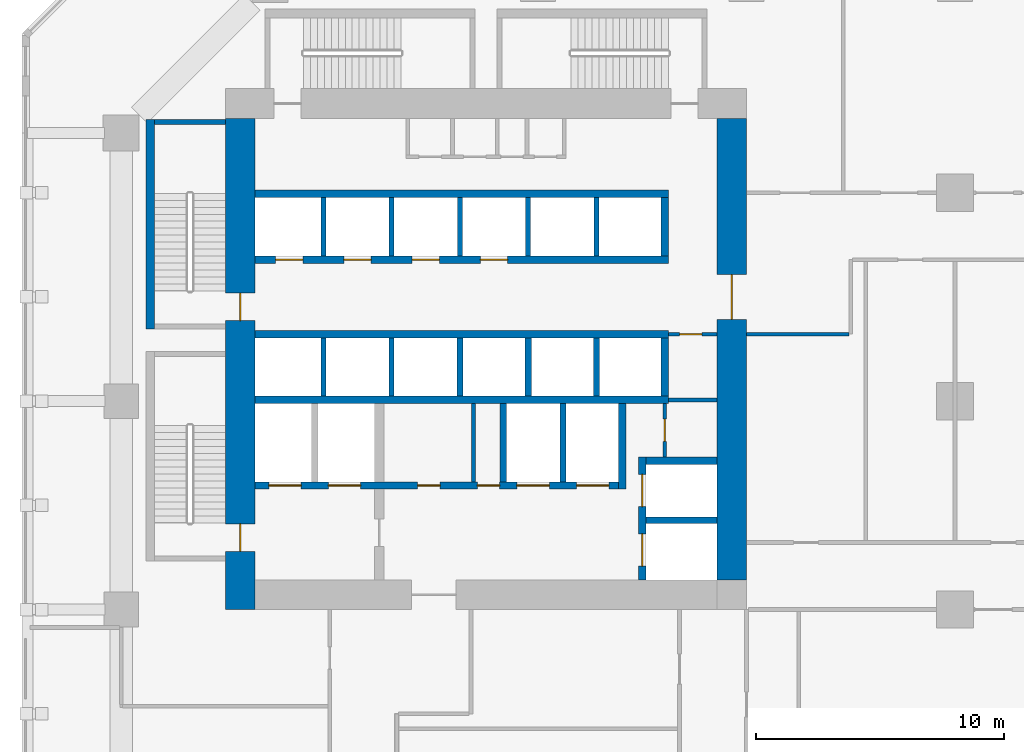
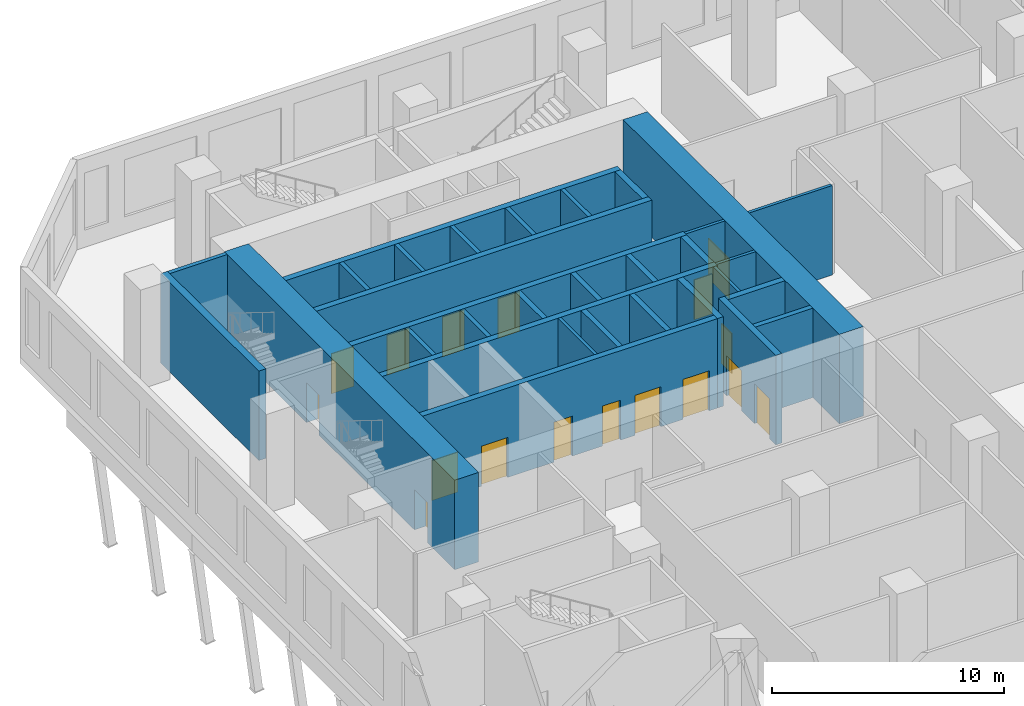
# One storey, part 11 of 25: 32 walls, 17 doors, 17 openings.
"""IFC4 building model written with IfcOpenShell, lengths in metres."""

from ifc_helpers import new_model, si_unit, direction, frame, frame_2d, origin, place, context, subcontext, project, spatial, rectangle, extrude, material, layer, layer_set, type_object, element, fill, save


model = new_model("IFC4")

# Units and contexts
model_context = context("Model", 3, precision=1e-05, world=origin(), true_north=direction((0.0, 1.0)))
body_context = subcontext(model_context, "Body", "Model", "MODEL_VIEW")
ifc_project = project(units=[si_unit("LENGTHUNIT", "METRE"), si_unit("AREAUNIT", "SQUARE_METRE"), si_unit("VOLUMEUNIT", "CUBIC_METRE"), si_unit("PLANEANGLEUNIT", "RADIAN"), si_unit("MASSUNIT", "GRAM", prefix="KILO")], contexts=[model_context])

# Site, building, storey
site_placement = place(None, origin())
site = spatial("IfcSite", under=ifc_project, at=site_placement, CompositionType="ELEMENT")
building_placement = place(site_placement, origin())
building = spatial("IfcBuilding", under=site, at=building_placement, Name="Kawkab Arch Medical Tower", CompositionType="ELEMENT")
storey_placement = place(building_placement, frame((0.0, 0.0, 29.0)))
storey = spatial("IfcBuildingStorey", under=building, at=storey_placement, Name="L06", CompositionType="ELEMENT", Elevation=29.0)

# Wall, openings, doors
ifc_material_1 = material(Name="Concrete C60/75", Category="concrete")
ifc_layer_1 = layer(ifc_material_1, 1.199951171875)
ifc_layer_set_1 = layer_set([ifc_layer_1], Name="Concrete C60/75")
wall_type_1 = type_object("IfcWallType", Name="Core ring wall 1200 C60/75", PredefinedType="SHEAR", material=ifc_layer_set_1)
wall_1_placement = place(storey_placement, frame((4.800048828125, -25.199951171875, 0.0), z_axis=(0.0, 0.0, 1.0), x_axis=(0.0, 1.0, 0.0)))
wall_1 = element("IfcWall", 1, at=wall_1_placement, inside=storey, type_object=wall_type_1, Name="L06 core wall", PredefinedType="SHEAR", context=body_context, shape_type="SweptSolid", body=[
    extrude(rectangle(XDim=19.800048828125, YDim=1.199951171875, at=frame_2d((9.89990234375, 0.0))), origin(), (0.0, 0.0, 1.0), 4.699951171875),
])
opening_1_placement = place(wall_1_placement, frame((11.64990234375, 0.0, 0.0)))
opening_1 = element("IfcOpeningElement", 2, at=opening_1_placement, cuts=wall_1, Name="Opening SD", PredefinedType="OPENING", context=body_context, shape_type="SweptSolid", body=[
    extrude(rectangle(XDim=1.10009765625, YDim=2.10009765625, at=frame_2d((0.550048828125, 1.050048828125))), frame((0.0, 0.60986328125, 0.0), z_axis=(0.0, -1.0, 0.0), x_axis=(1.0, 0.0, 0.0)), (0.0, 0.0, 1.0), 1.219970703125),
])
opening_2_placement = place(wall_1_placement, frame((2.35009765625, 0.0, 0.0)))
opening_2 = element("IfcOpeningElement", 3, at=opening_2_placement, cuts=wall_1, Name="Opening SD", PredefinedType="OPENING", context=body_context, shape_type="SweptSolid", body=[
    extrude(rectangle(XDim=1.10009765625, YDim=2.10009765625, at=frame_2d((0.550048828125, 1.050048828125))), frame((0.0, 0.60986328125, 0.0), z_axis=(0.0, -1.0, 0.0), x_axis=(1.0, 0.0, 0.0)), (0.0, 0.0, 1.0), 1.219970703125),
])
ifc_material_2 = material(Name="Hollow metal fire door leaf")
door_type_1 = type_object("IfcDoorType", Name="Exit stair door 1100", OperationType="SINGLE_SWING_LEFT", PredefinedType="DOOR", material=ifc_material_2)
door_1_placement = place(opening_1_placement, origin())
door_1 = element("IfcDoor", 4, at=door_1_placement, inside=storey, type_object=door_type_1, Name="L06 Exit stair ST1 door", OperationType="SINGLE_SWING_LEFT", OverallHeight=2.10009765625, OverallWidth=1.10009765625, PredefinedType="DOOR", context=body_context, shape_type="SweptSolid", body=[
    extrude(rectangle(XDim=1.10009765625, YDim=2.10009765625, at=frame_2d((0.550048828125, 1.050048828125))), frame((0.0, 0.02490234375, 0.0), z_axis=(0.0, -1.0, 0.0), x_axis=(1.0, 0.0, 0.0)), (0.0, 0.0, 1.0), 0.050048828125),
])
fill(opening_1, door_1)
door_2_placement = place(opening_2_placement, origin())
door_2 = element("IfcDoor", 5, at=door_2_placement, inside=storey, type_object=door_type_1, Name="L06 Exit stair ST2 door", OperationType="SINGLE_SWING_LEFT", OverallHeight=2.10009765625, OverallWidth=1.10009765625, PredefinedType="DOOR", context=body_context, shape_type="SweptSolid", body=[
    extrude(rectangle(XDim=1.10009765625, YDim=2.10009765625, at=frame_2d((0.550048828125, 1.050048828125))), frame((0.0, 0.02490234375, 0.0), z_axis=(0.0, -1.0, 0.0), x_axis=(1.0, 0.0, 0.0)), (0.0, 0.0, 1.0), 0.050048828125),
])
fill(opening_2, door_2)

# Wall, opening, door
wall_2_placement = place(storey_placement, frame((24.60009765625, -24.0, 0.0), z_axis=(0.0, 0.0, 1.0), x_axis=(0.0, 1.0, 0.0)))
wall_2 = element("IfcWall", 6, at=wall_2_placement, inside=storey, type_object=wall_type_1, Name="L06 core wall", PredefinedType="SHEAR", context=body_context, shape_type="SweptSolid", body=[
    extrude(rectangle(XDim=18.60009765625, YDim=1.199951171875, at=frame_2d((9.300048828125, 0.0))), origin(), (0.0, 0.0, 1.0), 4.699951171875),
])
opening_3_placement = place(wall_2_placement, frame((10.5, 0.0, 0.0)))
opening_3 = element("IfcOpeningElement", 7, at=opening_3_placement, cuts=wall_2, Name="Opening PD", PredefinedType="OPENING", context=body_context, shape_type="SweptSolid", body=[
    extrude(rectangle(XDim=1.800048828125, YDim=2.10009765625, at=frame_2d((0.89990234375, 1.050048828125))), frame((0.0, 0.60986328125, 0.0), z_axis=(0.0, -1.0, 0.0), x_axis=(1.0, 0.0, 0.0)), (0.0, 0.0, 1.0), 1.219970703125),
])
ifc_material_3 = material(Name="Hollow metal fire door leaf")
door_type_2 = type_object("IfcDoorType", Name="Core entrance doors 1800", OperationType="DOUBLE_DOOR_SINGLE_SWING", PredefinedType="DOOR", material=ifc_material_3)
door_3_placement = place(opening_3_placement, origin())
door_3 = element("IfcDoor", 8, at=door_3_placement, inside=storey, type_object=door_type_2, Name="L06 East entrance doors", OperationType="DOUBLE_DOOR_SINGLE_SWING", OverallHeight=2.10009765625, OverallWidth=1.800048828125, PredefinedType="DOOR", context=body_context, shape_type="SweptSolid", body=[
    extrude(rectangle(XDim=1.800048828125, YDim=2.10009765625, at=frame_2d((0.89990234375, 1.050048828125))), frame((0.0, 0.02490234375, 0.0), z_axis=(0.0, -1.0, 0.0), x_axis=(1.0, 0.0, 0.0)), (0.0, 0.0, 1.0), 0.050048828125),
])
fill(opening_3, door_3)

ifc_material_4 = material(Name="Gypsum board on steel studs", Category="steel")
ifc_layer_2 = layer(ifc_material_4, 0.14990234375)
ifc_layer_set_2 = layer_set([ifc_layer_2], Name="Gypsum board on steel studs")
wall_type_2 = type_object("IfcWallType", Name="Core room partition 150", PredefinedType="PARTITIONING", material=ifc_layer_set_2)
wall_3_placement = place(storey_placement, frame((21.89990234375, -19.050048828125, 0.0), z_axis=(0.0, 0.0, 1.0), x_axis=(0.0, 1.0, 0.0)))
wall_3 = element("IfcWall", 9, at=wall_3_placement, inside=storey, type_object=wall_type_2, Name="L06 core room partition", PredefinedType="PARTITIONING", context=body_context, shape_type="SweptSolid", body=[
    extrude(rectangle(XDim=2.150146484375, YDim=0.14990234375, at=frame_2d((1.0751953125, 0.0))), origin(), (0.0, 0.0, 1.0), 4.699951171875),
])
opening_4_placement = place(wall_3_placement, frame((0.625, 0.0, 0.0)))
opening_4 = element("IfcOpeningElement", 10, at=opening_4_placement, cuts=wall_3, Name="Opening RD", PredefinedType="OPENING", context=body_context, shape_type="SweptSolid", body=[
    extrude(rectangle(XDim=0.89990234375, YDim=2.10009765625, at=frame_2d((0.449951171875, 1.050048828125))), frame((0.0, 0.0849609375, 0.0), z_axis=(0.0, -1.0, 0.0), x_axis=(1.0, 0.0, 0.0)), (0.0, 0.0, 1.0), 0.169921875),
])
ifc_material_5 = material(Name="Hollow metal fire door leaf")
door_type_3 = type_object("IfcDoorType", Name="Core room door 900", OperationType="SINGLE_SWING_LEFT", PredefinedType="DOOR", material=ifc_material_5)
door_4_placement = place(opening_4_placement, origin())
door_4 = element("IfcDoor", 11, at=door_4_placement, inside=storey, type_object=door_type_3, Name="L06 Staff WC door", OperationType="SINGLE_SWING_LEFT", OverallHeight=2.10009765625, OverallWidth=0.89990234375, PredefinedType="DOOR", context=body_context, shape_type="SweptSolid", body=[
    extrude(rectangle(XDim=0.89990234375, YDim=2.10009765625, at=frame_2d((0.449951171875, 1.050048828125))), frame((0.0, 0.02490234375, 0.0), z_axis=(0.0, -1.0, 0.0), x_axis=(1.0, 0.0, 0.0)), (0.0, 0.0, 1.0), 0.050048828125),
])
fill(opening_4, door_4)

# Wall
wall_4_placement = place(storey_placement, frame((22.050048828125, -16.75, 0.0), z_axis=(0.0, 0.0, 1.0), x_axis=(1.0, 0.0, 0.0)))
element("IfcWall", 12, at=wall_4_placement, inside=storey, type_object=wall_type_2, Name="L06 core room partition", PredefinedType="PARTITIONING", context=body_context, shape_type="SweptSolid", body=[
    extrude(rectangle(XDim=1.949951171875, YDim=0.14990234375, at=frame_2d((0.97509765625, 0.0))), origin(), (0.0, 0.0, 1.0), 4.699951171875),
])

# Wall, opening, door
wall_5_placement = place(storey_placement, frame((22.050048828125, -14.10009765625, 0.0), z_axis=(0.0, 0.0, 1.0), x_axis=(1.0, 0.0, 0.0)))
wall_5 = element("IfcWall", 13, at=wall_5_placement, inside=storey, type_object=wall_type_2, Name="L06 core room partition", PredefinedType="PARTITIONING", context=body_context, shape_type="SweptSolid", body=[
    extrude(rectangle(XDim=1.949951171875, YDim=0.14990234375, at=frame_2d((0.97509765625, 0.0))), origin(), (0.0, 0.0, 1.0), 4.699951171875),
])
opening_5_placement = place(wall_5_placement, frame((0.449951171875, 0.0, 0.0)))
opening_5 = element("IfcOpeningElement", 14, at=opening_5_placement, cuts=wall_5, Name="Opening RD", PredefinedType="OPENING", context=body_context, shape_type="SweptSolid", body=[
    extrude(rectangle(XDim=0.89990234375, YDim=2.10009765625, at=frame_2d((0.449951171875, 1.050048828125))), frame((0.0, 0.0849609375, 0.0), z_axis=(0.0, -1.0, 0.0), x_axis=(1.0, 0.0, 0.0)), (0.0, 0.0, 1.0), 0.169921875),
])
door_5_placement = place(opening_5_placement, origin())
door_5 = element("IfcDoor", 15, at=door_5_placement, inside=storey, type_object=door_type_3, Name="L06 UPS room door", OperationType="SINGLE_SWING_LEFT", OverallHeight=2.10009765625, OverallWidth=0.89990234375, PredefinedType="DOOR", context=body_context, shape_type="SweptSolid", body=[
    extrude(rectangle(XDim=0.89990234375, YDim=2.10009765625, at=frame_2d((0.449951171875, 1.050048828125))), frame((0.0, 0.02490234375, 0.0), z_axis=(0.0, -1.0, 0.0), x_axis=(1.0, 0.0, 0.0)), (0.0, 0.0, 1.0), 0.050048828125),
])
fill(opening_5, door_5)

# Walls
wall_6_placement = place(storey_placement, frame((14.199951171875, -20.050048828125, 0.0), z_axis=(0.0, 0.0, 1.0), x_axis=(0.0, 1.0, 0.0)))
element("IfcWall", 16, at=wall_6_placement, inside=storey, type_object=wall_type_2, Name="L06 core room partition", PredefinedType="PARTITIONING", context=body_context, shape_type="SweptSolid", body=[
    extrude(rectangle(XDim=3.150146484375, YDim=0.14990234375, at=frame_2d((1.5751953125, 0.0))), origin(), (0.0, 0.0, 1.0), 4.699951171875),
])
ifc_material_6 = material(Name="Concrete C60/75", Category="concrete")
ifc_layer_3 = layer(ifc_material_6, 0.25)
ifc_layer_set_3 = layer_set([ifc_layer_3], Name="Concrete C60/75")
wall_type_3 = type_object("IfcWallType", Name="Core shear wall 250 C60/75", PredefinedType="SHEAR", material=ifc_layer_set_3)
wall_7_placement = place(storey_placement, frame((21.14990234375, -21.60009765625, 0.0), z_axis=(0.0, 0.0, 1.0), x_axis=(1.0, 0.0, 0.0)))
element("IfcWall", 17, at=wall_7_placement, inside=storey, type_object=wall_type_3, Name="L06 core shear wall", PredefinedType="SHEAR", context=body_context, shape_type="SweptSolid", body=[
    extrude(rectangle(XDim=2.85009765625, YDim=0.25, at=frame_2d((1.425048828125, 0.0))), origin(), (0.0, 0.0, 1.0), 4.699951171875),
])
for number, where, z_axis, x_axis, name in (
    (18, (15.39990234375, -20.050048828125, 0.0), (0.0, 0.0, 1.0), (0.0, 1.0, 0.0), "L06 core shear wall"),
    (19, (17.800048828125, -20.050048828125, 0.0), (0.0, 0.0, 1.0), (0.0, 1.0, 0.0), "L06 core shear wall"),
):
    element("IfcWall", number, at=place(storey_placement, frame(where, z_axis=z_axis, x_axis=x_axis)), inside=storey, type_object=wall_type_3, Name=name, PredefinedType="SHEAR", context=body_context, shape_type="SweptSolid", body=[
        extrude(rectangle(XDim=3.150146484375, YDim=0.25, at=frame_2d((1.5751953125, 0.0))), origin(), (0.0, 0.0, 1.0), 4.699951171875),
    ])
for number, where, z_axis, x_axis, name in (
    (20, (13.64990234375, -16.60009765625, 0.0), (0.0, 0.0, 1.0), (0.0, 1.0, 0.0), "L06 core shear wall"),
    (21, (16.39990234375, -16.60009765625, 0.0), (0.0, 0.0, 1.0), (0.0, 1.0, 0.0), "L06 core shear wall"),
    (22, (19.14990234375, -16.60009765625, 0.0), (0.0, 0.0, 1.0), (0.0, 1.0, 0.0), "L06 core shear wall"),
):
    element("IfcWall", number, at=place(storey_placement, frame(where, z_axis=z_axis, x_axis=x_axis)), inside=storey, type_object=wall_type_3, Name=name, PredefinedType="SHEAR", context=body_context, shape_type="SweptSolid", body=[
        extrude(rectangle(XDim=2.35009765625, YDim=0.25, at=frame_2d((1.175048828125, 0.0))), origin(), (0.0, 0.0, 1.0), 4.699951171875),
    ])
ifc_material_7 = material(Name="Concrete C60/75", Category="concrete")
ifc_layer_4 = layer(ifc_material_7, 0.300048828125)
ifc_layer_set_4 = layer_set([ifc_layer_4], Name="Concrete C60/75")
wall_type_4 = type_object("IfcWallType", Name="Core shear wall 300 C60/75", PredefinedType="SHEAR", material=ifc_layer_set_4)
wall_8_placement = place(storey_placement, frame((5.39990234375, -8.449951171875, 0.0), z_axis=(0.0, 0.0, 1.0), x_axis=(1.0, 0.0, 0.0)))
element("IfcWall", 23, at=wall_8_placement, inside=storey, type_object=wall_type_4, Name="L06 core shear wall", PredefinedType="SHEAR", context=body_context, shape_type="SweptSolid", body=[
    extrude(rectangle(XDim=16.650146484375, YDim=0.300048828125, at=frame_2d((8.3251953125, 0.0))), origin(), (0.0, 0.0, 1.0), 4.699951171875),
])

# Wall, openings, doors
wall_9_placement = place(storey_placement, frame((5.39990234375, -11.10009765625, 0.0), z_axis=(0.0, 0.0, 1.0), x_axis=(1.0, 0.0, 0.0)))
wall_9 = element("IfcWall", 24, at=wall_9_placement, inside=storey, type_object=wall_type_4, Name="L06 core shear wall", PredefinedType="SHEAR", context=body_context, shape_type="SweptSolid", body=[
    extrude(rectangle(XDim=16.650146484375, YDim=0.300048828125, at=frame_2d((8.3251953125, 0.0))), origin(), (0.0, 0.0, 1.0), 4.699951171875),
])
opening_6_placement = place(wall_9_placement, frame((0.824951171875, 0.0, 0.0)))
opening_6 = element("IfcOpeningElement", 25, at=opening_6_placement, cuts=wall_9, Name="Opening LD1", PredefinedType="OPENING", context=body_context, shape_type="SweptSolid", body=[
    extrude(rectangle(XDim=1.10009765625, YDim=2.10009765625, at=frame_2d((0.550048828125, 1.050048828125))), frame((0.0, 0.159912109375, 0.0), z_axis=(0.0, -1.0, 0.0), x_axis=(1.0, 0.0, 0.0)), (0.0, 0.0, 1.0), 0.320068359375),
])
opening_7_placement = place(wall_9_placement, frame((3.574951171875, 0.0, 0.0)))
opening_7 = element("IfcOpeningElement", 26, at=opening_7_placement, cuts=wall_9, Name="Opening LD1", PredefinedType="OPENING", context=body_context, shape_type="SweptSolid", body=[
    extrude(rectangle(XDim=1.10009765625, YDim=2.10009765625, at=frame_2d((0.550048828125, 1.050048828125))), frame((0.0, 0.159912109375, 0.0), z_axis=(0.0, -1.0, 0.0), x_axis=(1.0, 0.0, 0.0)), (0.0, 0.0, 1.0), 0.320068359375),
])
opening_8_placement = place(wall_9_placement, frame((6.324951171875, 0.0, 0.0)))
opening_8 = element("IfcOpeningElement", 27, at=opening_8_placement, cuts=wall_9, Name="Opening LD1", PredefinedType="OPENING", context=body_context, shape_type="SweptSolid", body=[
    extrude(rectangle(XDim=1.10009765625, YDim=2.10009765625, at=frame_2d((0.550048828125, 1.050048828125))), frame((0.0, 0.159912109375, 0.0), z_axis=(0.0, -1.0, 0.0), x_axis=(1.0, 0.0, 0.0)), (0.0, 0.0, 1.0), 0.320068359375),
])
opening_9_placement = place(wall_9_placement, frame((9.074951171875, 0.0, 0.0)))
opening_9 = element("IfcOpeningElement", 28, at=opening_9_placement, cuts=wall_9, Name="Opening LD1", PredefinedType="OPENING", context=body_context, shape_type="SweptSolid", body=[
    extrude(rectangle(XDim=1.10009765625, YDim=2.10009765625, at=frame_2d((0.550048828125, 1.050048828125))), frame((0.0, 0.159912109375, 0.0), z_axis=(0.0, -1.0, 0.0), x_axis=(1.0, 0.0, 0.0)), (0.0, 0.0, 1.0), 0.320068359375),
])
ifc_material_8 = material(Name="Stainless steel lift door leaf", Category="steel")
door_type_4 = type_object("IfcDoorType", Name="Lift landing door 1100", OperationType="DOUBLE_DOOR_SLIDING", PredefinedType="DOOR", material=ifc_material_8)
door_6_placement = place(opening_6_placement, origin())
door_6 = element("IfcDoor", 29, at=door_6_placement, inside=storey, type_object=door_type_4, Name="L06 Lift landing door LP1", OperationType="DOUBLE_DOOR_SLIDING", OverallHeight=2.10009765625, OverallWidth=1.10009765625, PredefinedType="DOOR", context=body_context, shape_type="SweptSolid", body=[
    extrude(rectangle(XDim=1.10009765625, YDim=2.10009765625, at=frame_2d((0.550048828125, 1.050048828125))), frame((0.0, 0.02490234375, 0.0), z_axis=(0.0, -1.0, 0.0), x_axis=(1.0, 0.0, 0.0)), (0.0, 0.0, 1.0), 0.050048828125),
])
fill(opening_6, door_6)
door_7_placement = place(opening_7_placement, origin())
door_7 = element("IfcDoor", 30, at=door_7_placement, inside=storey, type_object=door_type_4, Name="L06 Lift landing door LP2", OperationType="DOUBLE_DOOR_SLIDING", OverallHeight=2.10009765625, OverallWidth=1.10009765625, PredefinedType="DOOR", context=body_context, shape_type="SweptSolid", body=[
    extrude(rectangle(XDim=1.10009765625, YDim=2.10009765625, at=frame_2d((0.550048828125, 1.050048828125))), frame((0.0, 0.02490234375, 0.0), z_axis=(0.0, -1.0, 0.0), x_axis=(1.0, 0.0, 0.0)), (0.0, 0.0, 1.0), 0.050048828125),
])
fill(opening_7, door_7)
door_8_placement = place(opening_8_placement, origin())
door_8 = element("IfcDoor", 31, at=door_8_placement, inside=storey, type_object=door_type_4, Name="L06 Lift landing door LP3", OperationType="DOUBLE_DOOR_SLIDING", OverallHeight=2.10009765625, OverallWidth=1.10009765625, PredefinedType="DOOR", context=body_context, shape_type="SweptSolid", body=[
    extrude(rectangle(XDim=1.10009765625, YDim=2.10009765625, at=frame_2d((0.550048828125, 1.050048828125))), frame((0.0, 0.02490234375, 0.0), z_axis=(0.0, -1.0, 0.0), x_axis=(1.0, 0.0, 0.0)), (0.0, 0.0, 1.0), 0.050048828125),
])
fill(opening_8, door_8)
door_9_placement = place(opening_9_placement, origin())
door_9 = element("IfcDoor", 32, at=door_9_placement, inside=storey, type_object=door_type_4, Name="L06 Lift landing door LP4", OperationType="DOUBLE_DOOR_SLIDING", OverallHeight=2.10009765625, OverallWidth=1.10009765625, PredefinedType="DOOR", context=body_context, shape_type="SweptSolid", body=[
    extrude(rectangle(XDim=1.10009765625, YDim=2.10009765625, at=frame_2d((0.550048828125, 1.050048828125))), frame((0.0, 0.02490234375, 0.0), z_axis=(0.0, -1.0, 0.0), x_axis=(1.0, 0.0, 0.0)), (0.0, 0.0, 1.0), 0.050048828125),
])
fill(opening_9, door_9)

# Walls
for number, where, z_axis, x_axis, name in (
    (33, (5.39990234375, -14.10009765625, 0.0), (0.0, 0.0, 1.0), (1.0, 0.0, 0.0), "L06 core shear wall"),
    (34, (5.39990234375, -16.75, 0.0), (0.0, 0.0, 1.0), (1.0, 0.0, 0.0), "L06 core shear wall"),
):
    element("IfcWall", number, at=place(storey_placement, frame(where, z_axis=z_axis, x_axis=x_axis)), inside=storey, type_object=wall_type_4, Name=name, PredefinedType="SHEAR", context=body_context, shape_type="SweptSolid", body=[
        extrude(rectangle(XDim=16.650146484375, YDim=0.300048828125, at=frame_2d((8.3251953125, 0.0))), origin(), (0.0, 0.0, 1.0), 4.699951171875),
    ])

# Wall, openings, doors
wall_10_placement = place(storey_placement, frame((5.39990234375, -20.199951171875, 0.0), z_axis=(0.0, 0.0, 1.0), x_axis=(1.0, 0.0, 0.0)))
wall_10 = element("IfcWall", 35, at=wall_10_placement, inside=storey, type_object=wall_type_4, Name="L06 core shear wall", PredefinedType="SHEAR", context=body_context, shape_type="SweptSolid", body=[
    extrude(rectangle(XDim=14.650146484375, YDim=0.300048828125, at=frame_2d((7.3251953125, 0.0))), origin(), (0.0, 0.0, 1.0), 4.699951171875),
])
opening_10_placement = place(wall_10_placement, frame((10.550048828125, 0.0, 0.0)))
opening_10 = element("IfcOpeningElement", 36, at=opening_10_placement, cuts=wall_10, Name="Opening LD2", PredefinedType="OPENING", context=body_context, shape_type="SweptSolid", body=[
    extrude(rectangle(XDim=1.300048828125, YDim=2.10009765625, at=frame_2d((0.64990234375, 1.050048828125))), frame((0.0, 0.159912109375, 0.0), z_axis=(0.0, -1.0, 0.0), x_axis=(1.0, 0.0, 0.0)), (0.0, 0.0, 1.0), 0.320068359375),
])
opening_11_placement = place(wall_10_placement, frame((12.949951171875, 0.0, 0.0)))
opening_11 = element("IfcOpeningElement", 37, at=opening_11_placement, cuts=wall_10, Name="Opening LD2", PredefinedType="OPENING", context=body_context, shape_type="SweptSolid", body=[
    extrude(rectangle(XDim=1.300048828125, YDim=2.10009765625, at=frame_2d((0.64990234375, 1.050048828125))), frame((0.0, 0.159912109375, 0.0), z_axis=(0.0, -1.0, 0.0), x_axis=(1.0, 0.0, 0.0)), (0.0, 0.0, 1.0), 0.320068359375),
])
opening_12_placement = place(wall_10_placement, frame((0.550048828125, 0.0, 0.0)))
opening_12 = element("IfcOpeningElement", 38, at=opening_12_placement, cuts=wall_10, Name="Opening LD2", PredefinedType="OPENING", context=body_context, shape_type="SweptSolid", body=[
    extrude(rectangle(XDim=1.300048828125, YDim=2.10009765625, at=frame_2d((0.64990234375, 1.050048828125))), frame((0.0, 0.159912109375, 0.0), z_axis=(0.0, -1.0, 0.0), x_axis=(1.0, 0.0, 0.0)), (0.0, 0.0, 1.0), 0.320068359375),
])
opening_13_placement = place(wall_10_placement, frame((2.949951171875, 0.0, 0.0)))
opening_13 = element("IfcOpeningElement", 39, at=opening_13_placement, cuts=wall_10, Name="Opening LD2", PredefinedType="OPENING", context=body_context, shape_type="SweptSolid", body=[
    extrude(rectangle(XDim=1.300048828125, YDim=2.10009765625, at=frame_2d((0.64990234375, 1.050048828125))), frame((0.0, 0.159912109375, 0.0), z_axis=(0.0, -1.0, 0.0), x_axis=(1.0, 0.0, 0.0)), (0.0, 0.0, 1.0), 0.320068359375),
])
opening_14_placement = place(wall_10_placement, frame((6.550048828125, 0.0, 0.0)))
opening_14 = element("IfcOpeningElement", 40, at=opening_14_placement, cuts=wall_10, Name="Opening RD", PredefinedType="OPENING", context=body_context, shape_type="SweptSolid", body=[
    extrude(rectangle(XDim=0.89990234375, YDim=2.10009765625, at=frame_2d((0.449951171875, 1.050048828125))), frame((0.0, 0.159912109375, 0.0), z_axis=(0.0, -1.0, 0.0), x_axis=(1.0, 0.0, 0.0)), (0.0, 0.0, 1.0), 0.320068359375),
])
opening_15_placement = place(wall_10_placement, frame((8.949951171875, 0.0, 0.0)))
opening_15 = element("IfcOpeningElement", 41, at=opening_15_placement, cuts=wall_10, Name="Opening RD", PredefinedType="OPENING", context=body_context, shape_type="SweptSolid", body=[
    extrude(rectangle(XDim=0.89990234375, YDim=2.10009765625, at=frame_2d((0.449951171875, 1.050048828125))), frame((0.0, 0.159912109375, 0.0), z_axis=(0.0, -1.0, 0.0), x_axis=(1.0, 0.0, 0.0)), (0.0, 0.0, 1.0), 0.320068359375),
])
door_10_placement = place(opening_14_placement, origin())
door_10 = element("IfcDoor", 42, at=door_10_placement, inside=storey, type_object=door_type_3, Name="L06 Medication store door", OperationType="SINGLE_SWING_LEFT", OverallHeight=2.10009765625, OverallWidth=0.89990234375, PredefinedType="DOOR", context=body_context, shape_type="SweptSolid", body=[
    extrude(rectangle(XDim=0.89990234375, YDim=2.10009765625, at=frame_2d((0.449951171875, 1.050048828125))), frame((0.0, 0.02490234375, 0.0), z_axis=(0.0, -1.0, 0.0), x_axis=(1.0, 0.0, 0.0)), (0.0, 0.0, 1.0), 0.050048828125),
])
fill(opening_14, door_10)
door_11_placement = place(opening_15_placement, origin())
door_11 = element("IfcDoor", 43, at=door_11_placement, inside=storey, type_object=door_type_3, Name="L06 Clean utility room door", OperationType="SINGLE_SWING_LEFT", OverallHeight=2.10009765625, OverallWidth=0.89990234375, PredefinedType="DOOR", context=body_context, shape_type="SweptSolid", body=[
    extrude(rectangle(XDim=0.89990234375, YDim=2.10009765625, at=frame_2d((0.449951171875, 1.050048828125))), frame((0.0, 0.02490234375, 0.0), z_axis=(0.0, -1.0, 0.0), x_axis=(1.0, 0.0, 0.0)), (0.0, 0.0, 1.0), 0.050048828125),
])
fill(opening_15, door_11)
ifc_material_9 = material(Name="Stainless steel lift door leaf", Category="steel")
door_type_5 = type_object("IfcDoorType", Name="Lift landing door 1300", OperationType="DOUBLE_DOOR_SLIDING", PredefinedType="DOOR", material=ifc_material_9)
door_12_placement = place(opening_10_placement, origin())
door_12 = element("IfcDoor", 44, at=door_12_placement, inside=storey, type_object=door_type_5, Name="L06 Lift landing door BD3", OperationType="DOUBLE_DOOR_SLIDING", OverallHeight=2.10009765625, OverallWidth=1.300048828125, PredefinedType="DOOR", context=body_context, shape_type="SweptSolid", body=[
    extrude(rectangle(XDim=1.300048828125, YDim=2.10009765625, at=frame_2d((0.64990234375, 1.050048828125))), frame((0.0, 0.02490234375, 0.0), z_axis=(0.0, -1.0, 0.0), x_axis=(1.0, 0.0, 0.0)), (0.0, 0.0, 1.0), 0.050048828125),
])
fill(opening_10, door_12)
door_13_placement = place(opening_11_placement, origin())
door_13 = element("IfcDoor", 45, at=door_13_placement, inside=storey, type_object=door_type_5, Name="L06 Lift landing door BD4", OperationType="DOUBLE_DOOR_SLIDING", OverallHeight=2.10009765625, OverallWidth=1.300048828125, PredefinedType="DOOR", context=body_context, shape_type="SweptSolid", body=[
    extrude(rectangle(XDim=1.300048828125, YDim=2.10009765625, at=frame_2d((0.64990234375, 1.050048828125))), frame((0.0, 0.02490234375, 0.0), z_axis=(0.0, -1.0, 0.0), x_axis=(1.0, 0.0, 0.0)), (0.0, 0.0, 1.0), 0.050048828125),
])
fill(opening_11, door_13)
door_14_placement = place(opening_12_placement, origin())
door_14 = element("IfcDoor", 46, at=door_14_placement, inside=storey, type_object=door_type_5, Name="L06 Lift landing door FL1", OperationType="DOUBLE_DOOR_SLIDING", OverallHeight=2.10009765625, OverallWidth=1.300048828125, PredefinedType="DOOR", context=body_context, shape_type="SweptSolid", body=[
    extrude(rectangle(XDim=1.300048828125, YDim=2.10009765625, at=frame_2d((0.64990234375, 1.050048828125))), frame((0.0, 0.02490234375, 0.0), z_axis=(0.0, -1.0, 0.0), x_axis=(1.0, 0.0, 0.0)), (0.0, 0.0, 1.0), 0.050048828125),
])
fill(opening_12, door_14)
door_15_placement = place(opening_13_placement, origin())
door_15 = element("IfcDoor", 47, at=door_15_placement, inside=storey, type_object=door_type_5, Name="L06 Lift landing door FL2", OperationType="DOUBLE_DOOR_SLIDING", OverallHeight=2.10009765625, OverallWidth=1.300048828125, PredefinedType="DOOR", context=body_context, shape_type="SweptSolid", body=[
    extrude(rectangle(XDim=1.300048828125, YDim=2.10009765625, at=frame_2d((0.64990234375, 1.050048828125))), frame((0.0, 0.02490234375, 0.0), z_axis=(0.0, -1.0, 0.0), x_axis=(1.0, 0.0, 0.0)), (0.0, 0.0, 1.0), 0.050048828125),
])
fill(opening_13, door_15)

# Walls
wall_11_placement = place(storey_placement, frame((20.199951171875, -20.35009765625, 0.0), z_axis=(0.0, 0.0, 1.0), x_axis=(0.0, 1.0, 0.0)))
element("IfcWall", 48, at=wall_11_placement, inside=storey, type_object=wall_type_4, Name="L06 core shear wall", PredefinedType="SHEAR", context=body_context, shape_type="SweptSolid", body=[
    extrude(rectangle(XDim=3.4501953125, YDim=0.300048828125, at=frame_2d((1.72509765625, 0.0))), origin(), (0.0, 0.0, 1.0), 4.699951171875),
])
wall_12_placement = place(storey_placement, frame((21.89990234375, -10.949951171875, 0.0), z_axis=(0.0, 0.0, 1.0), x_axis=(0.0, 1.0, 0.0)))
element("IfcWall", 49, at=wall_12_placement, inside=storey, type_object=wall_type_4, Name="L06 core shear wall", PredefinedType="SHEAR", context=body_context, shape_type="SweptSolid", body=[
    extrude(rectangle(XDim=2.349853515625, YDim=0.300048828125, at=frame_2d((1.1748046875, 0.0))), origin(), (0.0, 0.0, 1.0), 4.699951171875),
])
wall_13_placement = place(storey_placement, frame((21.89990234375, -16.60009765625, 0.0), z_axis=(0.0, 0.0, 1.0), x_axis=(0.0, 1.0, 0.0)))
element("IfcWall", 50, at=wall_13_placement, inside=storey, type_object=wall_type_4, Name="L06 core shear wall", PredefinedType="SHEAR", context=body_context, shape_type="SweptSolid", body=[
    extrude(rectangle(XDim=2.35009765625, YDim=0.300048828125, at=frame_2d((1.175048828125, 0.0))), origin(), (0.0, 0.0, 1.0), 4.699951171875),
])
wall_14_placement = place(storey_placement, frame((21.14990234375, -19.199951171875, 0.0), z_axis=(0.0, 0.0, 1.0), x_axis=(1.0, 0.0, 0.0)))
element("IfcWall", 51, at=wall_14_placement, inside=storey, type_object=wall_type_4, Name="L06 core shear wall", PredefinedType="SHEAR", context=body_context, shape_type="SweptSolid", body=[
    extrude(rectangle(XDim=2.85009765625, YDim=0.300048828125, at=frame_2d((1.425048828125, 0.0))), origin(), (0.0, 0.0, 1.0), 4.699951171875),
])

# Wall, openings, doors
wall_15_placement = place(storey_placement, frame((21.0, -24.0, 0.0), z_axis=(0.0, 0.0, 1.0), x_axis=(0.0, 1.0, 0.0)))
wall_15 = element("IfcWall", 52, at=wall_15_placement, inside=storey, type_object=wall_type_4, Name="L06 core shear wall", PredefinedType="SHEAR", context=body_context, shape_type="SweptSolid", body=[
    extrude(rectangle(XDim=4.949951171875, YDim=0.300048828125, at=frame_2d((2.47509765625, 0.0))), origin(), (0.0, 0.0, 1.0), 4.699951171875),
])
opening_16_placement = place(wall_15_placement, frame((2.949951171875, 0.0, 0.0)))
opening_16 = element("IfcOpeningElement", 53, at=opening_16_placement, cuts=wall_15, Name="Opening LD2", PredefinedType="OPENING", context=body_context, shape_type="SweptSolid", body=[
    extrude(rectangle(XDim=1.300048828125, YDim=2.10009765625, at=frame_2d((0.64990234375, 1.050048828125))), frame((0.0, 0.159912109375, 0.0), z_axis=(0.0, -1.0, 0.0), x_axis=(1.0, 0.0, 0.0)), (0.0, 0.0, 1.0), 0.320068359375),
])
opening_17_placement = place(wall_15_placement, frame((0.550048828125, 0.0, 0.0)))
opening_17 = element("IfcOpeningElement", 54, at=opening_17_placement, cuts=wall_15, Name="Opening LD2", PredefinedType="OPENING", context=body_context, shape_type="SweptSolid", body=[
    extrude(rectangle(XDim=1.300048828125, YDim=2.10009765625, at=frame_2d((0.64990234375, 1.050048828125))), frame((0.0, 0.159912109375, 0.0), z_axis=(0.0, -1.0, 0.0), x_axis=(1.0, 0.0, 0.0)), (0.0, 0.0, 1.0), 0.320068359375),
])
door_16_placement = place(opening_16_placement, origin())
door_16 = element("IfcDoor", 55, at=door_16_placement, inside=storey, type_object=door_type_5, Name="L06 Lift landing door BD1", OperationType="DOUBLE_DOOR_SLIDING", OverallHeight=2.10009765625, OverallWidth=1.300048828125, PredefinedType="DOOR", context=body_context, shape_type="SweptSolid", body=[
    extrude(rectangle(XDim=1.300048828125, YDim=2.10009765625, at=frame_2d((0.64990234375, 1.050048828125))), frame((0.0, 0.02490234375, 0.0), z_axis=(0.0, -1.0, 0.0), x_axis=(1.0, 0.0, 0.0)), (0.0, 0.0, 1.0), 0.050048828125),
])
fill(opening_16, door_16)
door_17_placement = place(opening_17_placement, origin())
door_17 = element("IfcDoor", 56, at=door_17_placement, inside=storey, type_object=door_type_5, Name="L06 Lift landing door BD2", OperationType="DOUBLE_DOOR_SLIDING", OverallHeight=2.10009765625, OverallWidth=1.300048828125, PredefinedType="DOOR", context=body_context, shape_type="SweptSolid", body=[
    extrude(rectangle(XDim=1.300048828125, YDim=2.10009765625, at=frame_2d((0.64990234375, 1.050048828125))), frame((0.0, 0.02490234375, 0.0), z_axis=(0.0, -1.0, 0.0), x_axis=(1.0, 0.0, 0.0)), (0.0, 0.0, 1.0), 0.050048828125),
])
fill(opening_17, door_17)

# Walls
ifc_material_10 = material(Name="Dense concrete blockwork", Category="masonry")
ifc_layer_5 = layer(ifc_material_10, 0.199951171875)
ifc_layer_set_5 = layer_set([ifc_layer_5], Name="Dense concrete blockwork")
wall_type_5 = type_object("IfcWallType", Name="Lift shaft partition 200", PredefinedType="PARTITIONING", material=ifc_layer_set_5)
for number, where, z_axis, x_axis, name in (
    (57, (8.14990234375, -10.949951171875, 0.0), (0.0, 0.0, 1.0), (0.0, 1.0, 0.0), "L06 lift shaft partition"),
    (58, (10.89990234375, -10.949951171875, 0.0), (0.0, 0.0, 1.0), (0.0, 1.0, 0.0), "L06 lift shaft partition"),
    (59, (13.64990234375, -10.949951171875, 0.0), (0.0, 0.0, 1.0), (0.0, 1.0, 0.0), "L06 lift shaft partition"),
    (60, (16.39990234375, -10.949951171875, 0.0), (0.0, 0.0, 1.0), (0.0, 1.0, 0.0), "L06 lift shaft partition"),
    (61, (19.14990234375, -10.949951171875, 0.0), (0.0, 0.0, 1.0), (0.0, 1.0, 0.0), "L06 lift shaft partition"),
):
    element("IfcWall", number, at=place(storey_placement, frame(where, z_axis=z_axis, x_axis=x_axis)), inside=storey, type_object=wall_type_5, Name=name, PredefinedType="PARTITIONING", context=body_context, shape_type="SweptSolid", body=[
        extrude(rectangle(XDim=2.349853515625, YDim=0.199951171875, at=frame_2d((1.1748046875, 0.0))), origin(), (0.0, 0.0, 1.0), 4.699951171875),
    ])
for number, where, z_axis, x_axis, name in (
    (62, (8.14990234375, -16.60009765625, 0.0), (0.0, 0.0, 1.0), (0.0, 1.0, 0.0), "L06 lift shaft partition"),
    (63, (10.89990234375, -16.60009765625, 0.0), (0.0, 0.0, 1.0), (0.0, 1.0, 0.0), "L06 lift shaft partition"),
):
    element("IfcWall", number, at=place(storey_placement, frame(where, z_axis=z_axis, x_axis=x_axis)), inside=storey, type_object=wall_type_5, Name=name, PredefinedType="PARTITIONING", context=body_context, shape_type="SweptSolid", body=[
        extrude(rectangle(XDim=2.35009765625, YDim=0.199951171875, at=frame_2d((1.175048828125, 0.0))), origin(), (0.0, 0.0, 1.0), 4.699951171875),
    ])
ifc_material_11 = material(Name="Gypsum board partition on steel studs, mineral wool", Category="steel")
ifc_layer_6 = layer(ifc_material_11, 0.14990234375)
ifc_layer_set_6 = layer_set([ifc_layer_6], Name="Gypsum board partition on steel studs, mineral wool")
wall_type_6 = type_object("IfcWallType", Name="Partition 150", PredefinedType="PARTITIONING", material=ifc_layer_set_6)
wall_16_placement = place(storey_placement, frame((25.199951171875, -14.10009765625, 0.0), z_axis=(0.0, 0.0, 1.0), x_axis=(1.0, 0.0, 0.0)))
element("IfcWall", 64, at=wall_16_placement, inside=storey, type_object=wall_type_6, Name="Partition 150 w046", PredefinedType="PARTITIONING", context=body_context, shape_type="SweptSolid", body=[
    extrude(rectangle(XDim=4.125, YDim=0.14990234375, at=frame_2d((2.0625, 0.0))), origin(), (0.0, 0.0, 1.0), 4.699951171875),
])
ifc_material_12 = material(Name="Concrete C50/60", Category="concrete")
ifc_layer_7 = layer(ifc_material_12, 0.199951171875)
ifc_layer_set_7 = layer_set([ifc_layer_7], Name="Concrete C50/60")
wall_type_7 = type_object("IfcWallType", Name="Stair enclosure wall 200 C50/60", PredefinedType="SHEAR", material=ifc_layer_set_7)
wall_17_placement = place(storey_placement, frame((1.35009765625, -5.550048828125, 0.0), z_axis=(0.0, 0.0, 1.0), x_axis=(1.0, 0.0, 0.0)))
element("IfcWall", 65, at=wall_17_placement, inside=storey, type_object=wall_type_7, Name="L06 stair enclosure wall", PredefinedType="SHEAR", context=body_context, shape_type="SweptSolid", body=[
    extrude(rectangle(XDim=2.849853515625, YDim=0.199951171875, at=frame_2d((1.4248046875, 0.0))), origin(), (0.0, 0.0, 1.0), 4.699951171875),
])
ifc_material_13 = material(Name="Concrete C50/60", Category="concrete")
ifc_layer_8 = layer(ifc_material_13, 0.35009765625)
ifc_layer_set_8 = layer_set([ifc_layer_8], Name="Concrete C50/60")
wall_type_8 = type_object("IfcWallType", Name="Stair enclosure wall 350 C50/60", PredefinedType="SHEAR", material=ifc_layer_set_8)
wall_18_placement = place(storey_placement, frame((1.175048828125, -13.89990234375, 0.0), z_axis=(0.0, 0.0, 1.0), x_axis=(0.0, 1.0, 0.0)))
element("IfcWall", 66, at=wall_18_placement, inside=storey, type_object=wall_type_8, Name="L06 stair enclosure wall", PredefinedType="SHEAR", context=body_context, shape_type="SweptSolid", body=[
    extrude(rectangle(XDim=8.449951171875, YDim=0.35009765625, at=frame_2d((4.22509765625, 0.0))), origin(), (0.0, 0.0, 1.0), 4.699951171875),
])

save(model, "model.ifc")
